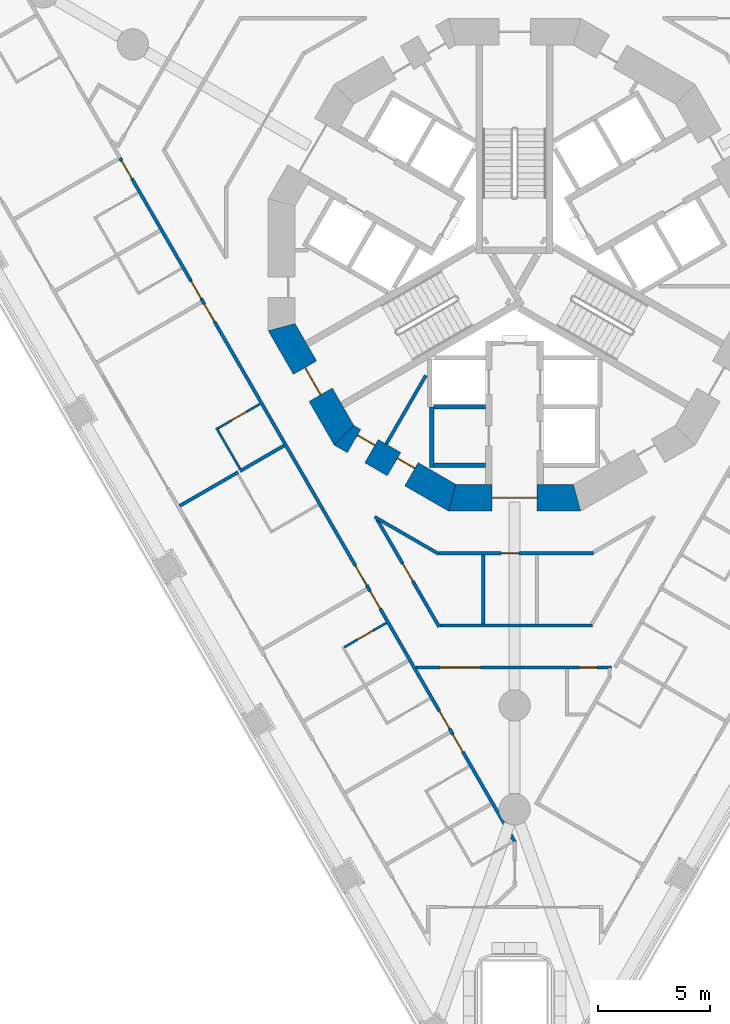
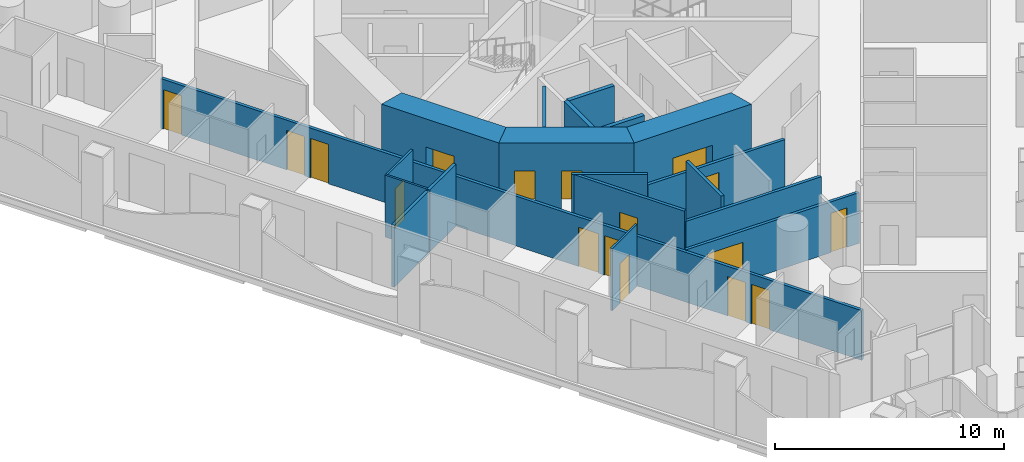
# One storey, part 3 of 20: 19 walls, 17 doors, 17 openings.
"""IFC4 building model written with IfcOpenShell, lengths in metres."""

from ifc_helpers import new_model, si_unit, direction, frame, frame_2d, origin, place, context, subcontext, project, spatial, polyline, rectangle, outline, extrude, material, layer, layer_set, type_object, element, fill, save


model = new_model("IFC4")

# Units and contexts
model_context = context("Model", 3, precision=1e-05, world=origin(), true_north=direction((0.0, 1.0)))
body_context = subcontext(model_context, "Body", "Model", "MODEL_VIEW")
ifc_project = project(units=[si_unit("LENGTHUNIT", "METRE"), si_unit("AREAUNIT", "SQUARE_METRE"), si_unit("VOLUMEUNIT", "CUBIC_METRE"), si_unit("PLANEANGLEUNIT", "RADIAN"), si_unit("MASSUNIT", "GRAM", prefix="KILO")], contexts=[model_context])

# Site, building, storey
site_placement = place(None, origin())
site = spatial("IfcSite", under=ifc_project, at=site_placement, CompositionType="ELEMENT")
building_placement = place(site_placement, origin())
building = spatial("IfcBuilding", under=site, at=building_placement, Name="Trine Commons Tower", CompositionType="ELEMENT")
storey_placement = place(building_placement, frame((0.0, 0.0, 38.699951171875)))
storey = spatial("IfcBuildingStorey", under=building, at=storey_placement, Name="L08", CompositionType="ELEMENT", Elevation=38.699951171875)

# Wall
ifc_material_1 = material(Name="Plasterboard partition on steel studs", Category="steel")
ifc_layer_1 = layer(ifc_material_1, 0.14990234375)
ifc_layer_set_1 = layer_set([ifc_layer_1], Name="Plasterboard partition on steel studs")
wall_type_1 = type_object("IfcWallType", Name="Core room partition 150 mm, EI 60", PredefinedType="PARTITIONING", material=ifc_layer_set_1)
wall_1_placement = place(storey_placement, frame((74.260986328125, 54.48388671875, 0.0), z_axis=(0.0, 0.0, 1.0), x_axis=(0.500062019353, 0.865989593933, 0.0)))
element("IfcWall", 1, at=wall_1_placement, inside=storey, type_object=wall_type_1, Name="Core room partition L08", PredefinedType="PARTITIONING", context=body_context, shape_type="SweptSolid", body=[
    extrude(rectangle(XDim=3.54736328125, YDim=0.14990234375, at=frame_2d((1.773681640625, 0.0))), origin(), (0.0, 0.0, 1.0), 3.300048828125),
])

# Wall, opening, door
ifc_material_2 = material(Name="Concrete C80/95", Category="concrete")
ifc_layer_2 = layer(ifc_material_2, 1.199951171875)
ifc_layer_set_2 = layer_set([ifc_layer_2], Name="Concrete C80/95")
wall_type_2 = type_object("IfcWallType", Name="RC shear wall 1200 mm, C80/95", PredefinedType="SHEAR", material=ifc_layer_set_2)
wall_2_placement = place(storey_placement, frame((69.508056640625, 59.849609375, 0.0), z_axis=(0.0, 0.0, 1.0), x_axis=(0.499979111662, -0.866037463336, 0.0)))
wall_2 = element("IfcWall", 2, at=wall_2_placement, inside=storey, type_object=wall_type_2, Name="Core wall CWA-08 L08", PredefinedType="SHEAR", context=body_context, shape_type="SweptSolid", body=[
    extrude(outline(polyline([(0.0, -0.60009765625), (5.901123046875, -0.60009765625), (5.57958984375, 0.60009765625), (0.321533203125, 0.60009765625), (0.0, -0.60009765625)])), origin(), (0.0, 0.0, 1.0), 3.60009765625),
])
opening_1_placement = place(wall_2_placement, frame((2.25048828125, 0.0, 0.0)))
opening_1 = element("IfcOpeningElement", 3, at=opening_1_placement, cuts=wall_2, Name="Opening K07.02", PredefinedType="OPENING", context=body_context, shape_type="SweptSolid", body=[
    extrude(rectangle(XDim=1.39990234375, YDim=2.10009765625, at=frame_2d((0.699951171875, 1.050048828125))), frame((0.0, 0.60986328125, 0.0), z_axis=(0.0, -1.0, 0.0), x_axis=(1.0, 0.0, 0.0)), (0.0, 0.0, 1.0), 1.219970703125),
])
ifc_material_3 = material(Name="Steel door leaves, fire-rated", Category="steel")
door_type_1 = type_object("IfcDoorType", Name="Stair door, double leaf 1400 x 2100, FD90", OperationType="DOUBLE_DOOR_SINGLE_SWING", PredefinedType="DOOR", material=ifc_material_3)
door_1_placement = place(opening_1_placement, origin())
door_1 = element("IfcDoor", 4, at=door_1_placement, inside=storey, type_object=door_type_1, Name="Stair door to Exit stair ST2A L08", OperationType="DOUBLE_DOOR_SINGLE_SWING", OverallHeight=2.10009765625, OverallWidth=1.39990234375, PredefinedType="DOOR", context=body_context, shape_type="SweptSolid", body=[
    extrude(rectangle(XDim=1.39990234375, YDim=2.10009765625, at=frame_2d((0.699951171875, 1.050048828125))), frame((0.0, 0.02490234375, 0.0), z_axis=(0.0, -1.0, 0.0), x_axis=(1.0, 0.0, 0.0)), (0.0, 0.0, 1.0), 0.050048828125),
])
fill(opening_1, door_1)

# Wall, openings, doors
wall_3_placement = place(storey_placement, frame((72.239013671875, 54.95849609375, 0.0), z_axis=(0.0, 0.0, 1.0), x_axis=(0.866037463336, -0.499979111662, 0.0)))
wall_3 = element("IfcWall", 5, at=wall_3_placement, inside=storey, type_object=wall_type_2, Name="Core wall CWA-09 L08", PredefinedType="SHEAR", context=body_context, shape_type="SweptSolid", body=[
    extrude(outline(polyline([(0.0, -0.60009765625), (5.901123046875, -0.60009765625), (5.57958984375, 0.60009765625), (0.321533203125, 0.60009765625), (0.0, -0.60009765625)])), origin(), (0.0, 0.0, 1.0), 3.60009765625),
])
opening_2_placement = place(wall_3_placement, frame((0.676513671875, 0.0, 0.0)))
opening_2 = element("IfcOpeningElement", 6, at=opening_2_placement, cuts=wall_3, Name="Opening K07.15", PredefinedType="OPENING", context=body_context, shape_type="SweptSolid", body=[
    extrude(rectangle(XDim=0.89990234375, YDim=2.10009765625, at=frame_2d((0.449951171875, 1.050048828125))), frame((0.0, 0.60986328125, 0.0), z_axis=(0.0, -1.0, 0.0), x_axis=(1.0, 0.0, 0.0)), (0.0, 0.0, 1.0), 1.219970703125),
])
opening_3_placement = place(wall_3_placement, frame((2.738525390625, 0.0, 0.0)))
opening_3 = element("IfcOpeningElement", 7, at=opening_3_placement, cuts=wall_3, Name="Opening K07.16", PredefinedType="OPENING", context=body_context, shape_type="SweptSolid", body=[
    extrude(rectangle(XDim=0.89990234375, YDim=2.10009765625, at=frame_2d((0.449951171875, 1.050048828125))), frame((0.0, 0.60986328125, 0.0), z_axis=(0.0, -1.0, 0.0), x_axis=(1.0, 0.0, 0.0)), (0.0, 0.0, 1.0), 1.219970703125),
])
ifc_material_4 = material(Name="Steel door leaf, fire-rated", Category="steel")
door_type_2 = type_object("IfcDoorType", Name="Core room door, single leaf 900 x 2100, FD30S", OperationType="SINGLE_SWING_LEFT", PredefinedType="DOOR", material=ifc_material_4)
door_2_placement = place(opening_2_placement, origin())
door_2 = element("IfcDoor", 8, at=door_2_placement, inside=storey, type_object=door_type_2, Name="Door to Cleaner's store L08", OperationType="SINGLE_SWING_LEFT", OverallHeight=2.10009765625, OverallWidth=0.89990234375, PredefinedType="DOOR", context=body_context, shape_type="SweptSolid", body=[
    extrude(rectangle(XDim=0.89990234375, YDim=2.10009765625, at=frame_2d((0.449951171875, 1.050048828125))), frame((0.0, 0.3251953125, 0.0), z_axis=(0.0, -1.0, 0.0), x_axis=(1.0, 0.0, 0.0)), (0.0, 0.0, 1.0), 0.050048828125),
])
fill(opening_2, door_2)
door_3_placement = place(opening_3_placement, origin())
door_3 = element("IfcDoor", 9, at=door_3_placement, inside=storey, type_object=door_type_2, Name="Door to Accessible WC L08", OperationType="SINGLE_SWING_RIGHT", OverallHeight=2.10009765625, OverallWidth=0.89990234375, PredefinedType="DOOR", context=body_context, shape_type="SweptSolid", body=[
    extrude(rectangle(XDim=0.89990234375, YDim=2.10009765625, at=frame_2d((0.449951171875, 1.050048828125))), frame((0.0, 0.3251953125, 0.0), z_axis=(0.0, -1.0, 0.0), x_axis=(1.0, 0.0, 0.0)), (0.0, 0.0, 1.0), 0.050048828125),
])
fill(opening_3, door_3)

# Wall, opening, door
wall_4_placement = place(storey_placement, frame((77.049560546875, 52.08837890625, 0.0), z_axis=(0.0, 0.0, 1.0), x_axis=(1.0, 0.0, 0.0)))
wall_4 = element("IfcWall", 10, at=wall_4_placement, inside=storey, type_object=wall_type_2, Name="Core wall CWA-10 L08", PredefinedType="SHEAR", context=body_context, shape_type="SweptSolid", body=[
    extrude(outline(polyline([(0.0, -0.60009765625), (5.90087890625, -0.60009765625), (5.57958984375, 0.60009765625), (0.321533203125, 0.60009765625), (0.0, -0.60009765625)])), origin(), (0.0, 0.0, 1.0), 3.60009765625),
])
opening_4_placement = place(wall_4_placement, frame((1.950439453125, 0.0, 0.0)))
opening_4 = element("IfcOpeningElement", 11, at=opening_4_placement, cuts=wall_4, Name="Opening K07.08", PredefinedType="OPENING", context=body_context, shape_type="SweptSolid", body=[
    extrude(rectangle(XDim=2.0, YDim=2.10009765625, at=frame_2d((1.0, 1.050048828125))), frame((0.0, 0.60986328125, 0.0), z_axis=(0.0, -1.0, 0.0), x_axis=(1.0, 0.0, 0.0)), (0.0, 0.0, 1.0), 1.219970703125),
])
door_type_3 = type_object("IfcDoorType", Name="Lobby door, double leaf 2000 x 2100, FD60", OperationType="DOUBLE_DOOR_SINGLE_SWING", PredefinedType="DOOR", material=ifc_material_3)
door_4_placement = place(opening_4_placement, origin())
door_4 = element("IfcDoor", 12, at=door_4_placement, inside=storey, type_object=door_type_3, Name="Lobby door, Service and firefighting lobby L08", OperationType="DOUBLE_DOOR_SINGLE_SWING", OverallHeight=2.10009765625, OverallWidth=2.0, PredefinedType="DOOR", context=body_context, shape_type="SweptSolid", body=[
    extrude(rectangle(XDim=2.0, YDim=2.10009765625, at=frame_2d((1.0, 1.050048828125))), frame((0.0, 0.02490234375, 0.0), z_axis=(0.0, -1.0, 0.0), x_axis=(1.0, 0.0, 0.0)), (0.0, 0.0, 1.0), 0.050048828125),
])
fill(opening_4, door_4)

# Walls
ifc_material_5 = material(Name="Fire-rated gypsum shaft wall system")
ifc_layer_3 = layer(ifc_material_5, 0.199951171875)
ifc_layer_set_3 = layer_set([ifc_layer_3], Name="Fire-rated gypsum shaft wall system")
wall_type_3 = type_object("IfcWallType", Name="Shaft wall 200 mm, EI 120", PredefinedType="PARTITIONING", material=ifc_layer_set_3)
wall_5_placement = place(storey_placement, frame((76.300048828125, 56.14990234375, 0.0), z_axis=(0.0, 0.0, 1.0), x_axis=(0.0, -1.0, 0.0)))
element("IfcWall", 13, at=wall_5_placement, inside=storey, type_object=wall_type_3, Name="Shaft wall L08", PredefinedType="PARTITIONING", context=body_context, shape_type="SweptSolid", body=[
    extrude(rectangle(XDim=2.699951171875, YDim=0.199951171875, at=frame_2d((1.35009765625, 0.0))), origin(), (0.0, 0.0, 1.0), 3.300048828125),
])
for number, where, z_axis, x_axis, name in (
    (14, (78.699951171875, 53.550048828125, 0.0), (0.0, 0.0, 1.0), (-1.0, 0.0, 0.0), "Shaft wall L08"),
    (15, (78.699951171875, 56.14990234375, 0.0), (0.0, 0.0, 1.0), (-1.0, 0.0, 0.0), "Shaft wall L08"),
):
    element("IfcWall", number, at=place(storey_placement, frame(where, z_axis=z_axis, x_axis=x_axis)), inside=storey, type_object=wall_type_3, Name=name, PredefinedType="PARTITIONING", context=body_context, shape_type="SweptSolid", body=[
        extrude(rectangle(XDim=2.300048828125, YDim=0.199951171875, at=frame_2d((1.14990234375, 0.0))), origin(), (0.0, 0.0, 1.0), 3.300048828125),
    ])

# Wall, openings, doors
ifc_material_6 = material(Name="Gypsum plasterboard on steel stud", Category="steel")
ifc_layer_4 = layer(ifc_material_6, 0.14990234375)
ifc_layer_set_4 = layer_set([ifc_layer_4], Name="Gypsum plasterboard on steel stud")
wall_type_4 = type_object("IfcWallType", Name="Unit and corridor wall 150 mm, EI 60", PredefinedType="PARTITIONING", material=ifc_layer_set_4)
wall_6_placement = place(storey_placement, frame((62.364990234375, 67.27099609375, 0.0), z_axis=(0.0, 0.0, 1.0), x_axis=(0.500005848871, -0.866022026911, 0.0)))
wall_6 = element("IfcWall", 16, at=wall_6_placement, inside=storey, type_object=wall_type_4, Name="Partition 025", PredefinedType="PARTITIONING", context=body_context, shape_type="SweptSolid", body=[
    extrude(rectangle(XDim=35.29736328125, YDim=0.14990234375, at=frame_2d((17.648681640625, 0.0))), origin(), (0.0, 0.0, 1.0), 2.650146484375),
])
opening_5_placement = place(wall_6_placement, frame((29.744384765625, 0.0, 0.0)))
opening_5 = element("IfcOpeningElement", 17, at=opening_5_placement, cuts=wall_6, Name="Opening D-1A25", PredefinedType="OPENING", context=body_context, shape_type="SweptSolid", body=[
    extrude(rectangle(XDim=0.89990234375, YDim=2.10009765625, at=frame_2d((0.449951171875, 1.050048828125))), frame((0.0, 0.0849609375, 0.0), z_axis=(0.0, -1.0, 0.0), x_axis=(1.0, 0.0, 0.0)), (0.0, 0.0, 1.0), 0.169921875),
])
opening_6_placement = place(wall_6_placement, frame((28.544189453125, 0.0, 0.0)))
opening_6 = element("IfcOpeningElement", 18, at=opening_6_placement, cuts=wall_6, Name="Opening D-1A26", PredefinedType="OPENING", context=body_context, shape_type="SweptSolid", body=[
    extrude(rectangle(XDim=0.89990234375, YDim=2.10009765625, at=frame_2d((0.449951171875, 1.050048828125))), frame((0.0, 0.0849609375, 0.0), z_axis=(0.0, -1.0, 0.0), x_axis=(1.0, 0.0, 0.0)), (0.0, 0.0, 1.0), 0.169921875),
])
opening_7_placement = place(wall_6_placement, frame((22.34716796875, 0.0, 0.0)))
opening_7 = element("IfcOpeningElement", 19, at=opening_7_placement, cuts=wall_6, Name="Opening D-1A27", PredefinedType="OPENING", context=body_context, shape_type="SweptSolid", body=[
    extrude(rectangle(XDim=0.89990234375, YDim=2.10009765625, at=frame_2d((0.449951171875, 1.050048828125))), frame((0.0, 0.0849609375, 0.0), z_axis=(0.0, -1.0, 0.0), x_axis=(1.0, 0.0, 0.0)), (0.0, 0.0, 1.0), 0.169921875),
])
opening_8_placement = place(wall_6_placement, frame((21.047119140625, 0.0, 0.0)))
opening_8 = element("IfcOpeningElement", 20, at=opening_8_placement, cuts=wall_6, Name="Opening D-1A28", PredefinedType="OPENING", context=body_context, shape_type="SweptSolid", body=[
    extrude(rectangle(XDim=1.0, YDim=2.10009765625, at=frame_2d((0.5, 1.050048828125))), frame((0.0, 0.0849609375, 0.0), z_axis=(0.0, -1.0, 0.0), x_axis=(1.0, 0.0, 0.0)), (0.0, 0.0, 1.0), 0.169921875),
])
opening_9_placement = place(wall_6_placement, frame((7.55078125, 0.0, 0.0)))
opening_9 = element("IfcOpeningElement", 21, at=opening_9_placement, cuts=wall_6, Name="Opening D-1A29", PredefinedType="OPENING", context=body_context, shape_type="SweptSolid", body=[
    extrude(rectangle(XDim=0.89990234375, YDim=2.10009765625, at=frame_2d((0.449951171875, 1.050048828125))), frame((0.0, 0.0849609375, 0.0), z_axis=(0.0, -1.0, 0.0), x_axis=(1.0, 0.0, 0.0)), (0.0, 0.0, 1.0), 0.169921875),
])
opening_10_placement = place(wall_6_placement, frame((6.350830078125, 0.0, 0.0)))
opening_10 = element("IfcOpeningElement", 22, at=opening_10_placement, cuts=wall_6, Name="Opening D-1A30", PredefinedType="OPENING", context=body_context, shape_type="SweptSolid", body=[
    extrude(rectangle(XDim=0.89990234375, YDim=2.10009765625, at=frame_2d((0.449951171875, 1.050048828125))), frame((0.0, 0.0849609375, 0.0), z_axis=(0.0, -1.0, 0.0), x_axis=(1.0, 0.0, 0.0)), (0.0, 0.0, 1.0), 0.169921875),
])
opening_11_placement = place(wall_6_placement, frame((0.153564453125, 0.0, 0.0)))
opening_11 = element("IfcOpeningElement", 23, at=opening_11_placement, cuts=wall_6, Name="Opening D-1A31", PredefinedType="OPENING", context=body_context, shape_type="SweptSolid", body=[
    extrude(rectangle(XDim=0.89990234375, YDim=2.10009765625, at=frame_2d((0.449951171875, 1.050048828125))), frame((0.0, 0.0849609375, 0.0), z_axis=(0.0, -1.0, 0.0), x_axis=(1.0, 0.0, 0.0)), (0.0, 0.0, 1.0), 0.169921875),
])
ifc_material_7 = material(Name="Timber fire door set", Category="wood")
door_type_4 = type_object("IfcDoorType", Name="Bedroom door 1000 x 2100, FD30S", OperationType="NOTDEFINED", PredefinedType="DOOR", material=ifc_material_7)
door_5_placement = place(opening_8_placement, frame((1.0, 0.0, 0.0), z_axis=(0.0, 0.0, 1.0), x_axis=(-1.0, 0.0, 0.0)))
door_5 = element("IfcDoor", 24, at=door_5_placement, inside=storey, type_object=door_type_4, Name="Door D-1A28", OperationType="SINGLE_SWING_LEFT", OverallHeight=2.10009765625, OverallWidth=1.0, PredefinedType="DOOR", context=body_context, shape_type="SweptSolid", body=[
    extrude(rectangle(XDim=1.0, YDim=2.10009765625, at=frame_2d((0.5, 1.050048828125))), frame((0.0, 0.02490234375, 0.0), z_axis=(0.0, -1.0, 0.0), x_axis=(1.0, 0.0, 0.0)), (0.0, 0.0, 1.0), 0.050048828125),
])
fill(opening_8, door_5)
door_type_5 = type_object("IfcDoorType", Name="Bedroom door 900 x 2100, FD30S", OperationType="NOTDEFINED", PredefinedType="DOOR", material=ifc_material_7)
door_6_placement = place(opening_5_placement, frame((0.89990234375, 0.0, 0.0), z_axis=(0.0, 0.0, 1.0), x_axis=(-1.0, 0.0, 0.0)))
door_6 = element("IfcDoor", 25, at=door_6_placement, inside=storey, type_object=door_type_5, Name="Door D-1A25", OperationType="SINGLE_SWING_LEFT", OverallHeight=2.10009765625, OverallWidth=0.89990234375, PredefinedType="DOOR", context=body_context, shape_type="SweptSolid", body=[
    extrude(rectangle(XDim=0.89990234375, YDim=2.10009765625, at=frame_2d((0.449951171875, 1.050048828125))), frame((0.0, 0.02490234375, 0.0), z_axis=(0.0, -1.0, 0.0), x_axis=(1.0, 0.0, 0.0)), (0.0, 0.0, 1.0), 0.050048828125),
])
fill(opening_5, door_6)
door_7_placement = place(opening_6_placement, frame((0.89990234375, 0.0, 0.0), z_axis=(0.0, 0.0, 1.0), x_axis=(-1.0, 0.0, 0.0)))
door_7 = element("IfcDoor", 26, at=door_7_placement, inside=storey, type_object=door_type_5, Name="Door D-1A26", OperationType="SINGLE_SWING_LEFT", OverallHeight=2.10009765625, OverallWidth=0.89990234375, PredefinedType="DOOR", context=body_context, shape_type="SweptSolid", body=[
    extrude(rectangle(XDim=0.89990234375, YDim=2.10009765625, at=frame_2d((0.449951171875, 1.050048828125))), frame((0.0, 0.02490234375, 0.0), z_axis=(0.0, -1.0, 0.0), x_axis=(1.0, 0.0, 0.0)), (0.0, 0.0, 1.0), 0.050048828125),
])
fill(opening_6, door_7)
door_8_placement = place(opening_7_placement, frame((0.89990234375, 0.0, 0.0), z_axis=(0.0, 0.0, 1.0), x_axis=(-1.0, 0.0, 0.0)))
door_8 = element("IfcDoor", 27, at=door_8_placement, inside=storey, type_object=door_type_5, Name="Door D-1A27", OperationType="SINGLE_SWING_LEFT", OverallHeight=2.10009765625, OverallWidth=0.89990234375, PredefinedType="DOOR", context=body_context, shape_type="SweptSolid", body=[
    extrude(rectangle(XDim=0.89990234375, YDim=2.10009765625, at=frame_2d((0.449951171875, 1.050048828125))), frame((0.0, 0.02490234375, 0.0), z_axis=(0.0, -1.0, 0.0), x_axis=(1.0, 0.0, 0.0)), (0.0, 0.0, 1.0), 0.050048828125),
])
fill(opening_7, door_8)
door_9_placement = place(opening_9_placement, frame((0.89990234375, 0.0, 0.0), z_axis=(0.0, 0.0, 1.0), x_axis=(-1.0, 0.0, 0.0)))
door_9 = element("IfcDoor", 28, at=door_9_placement, inside=storey, type_object=door_type_5, Name="Door D-1A29", OperationType="SINGLE_SWING_RIGHT", OverallHeight=2.10009765625, OverallWidth=0.89990234375, PredefinedType="DOOR", context=body_context, shape_type="SweptSolid", body=[
    extrude(rectangle(XDim=0.89990234375, YDim=2.10009765625, at=frame_2d((0.449951171875, 1.050048828125))), frame((0.0, 0.02490234375, 0.0), z_axis=(0.0, -1.0, 0.0), x_axis=(1.0, 0.0, 0.0)), (0.0, 0.0, 1.0), 0.050048828125),
])
fill(opening_9, door_9)
door_10_placement = place(opening_10_placement, frame((0.89990234375, 0.0, 0.0), z_axis=(0.0, 0.0, 1.0), x_axis=(-1.0, 0.0, 0.0)))
door_10 = element("IfcDoor", 29, at=door_10_placement, inside=storey, type_object=door_type_5, Name="Door D-1A30", OperationType="SINGLE_SWING_RIGHT", OverallHeight=2.10009765625, OverallWidth=0.89990234375, PredefinedType="DOOR", context=body_context, shape_type="SweptSolid", body=[
    extrude(rectangle(XDim=0.89990234375, YDim=2.10009765625, at=frame_2d((0.449951171875, 1.050048828125))), frame((0.0, 0.02490234375, 0.0), z_axis=(0.0, -1.0, 0.0), x_axis=(1.0, 0.0, 0.0)), (0.0, 0.0, 1.0), 0.050048828125),
])
fill(opening_10, door_10)
door_11_placement = place(opening_11_placement, frame((0.89990234375, 0.0, 0.0), z_axis=(0.0, 0.0, 1.0), x_axis=(-1.0, 0.0, 0.0)))
door_11 = element("IfcDoor", 30, at=door_11_placement, inside=storey, type_object=door_type_5, Name="Door D-1A31", OperationType="SINGLE_SWING_RIGHT", OverallHeight=2.10009765625, OverallWidth=0.89990234375, PredefinedType="DOOR", context=body_context, shape_type="SweptSolid", body=[
    extrude(rectangle(XDim=0.89990234375, YDim=2.10009765625, at=frame_2d((0.449951171875, 1.050048828125))), frame((0.0, 0.02490234375, 0.0), z_axis=(0.0, -1.0, 0.0), x_axis=(1.0, 0.0, 0.0)), (0.0, 0.0, 1.0), 0.050048828125),
])
fill(opening_11, door_11)

# Walls
wall_7_placement = place(storey_placement, frame((65.03759765625, 51.72607421875, 0.0), z_axis=(0.0, 0.0, 1.0), x_axis=(0.866097759389, 0.49987465547, 0.0)))
element("IfcWall", 31, at=wall_7_placement, inside=storey, type_object=wall_type_4, Name="Partition 031", PredefinedType="PARTITIONING", context=body_context, shape_type="SweptSolid", body=[
    extrude(rectangle(XDim=3.008544921875, YDim=0.14990234375, at=frame_2d((1.50439453125, 0.0))), origin(), (0.0, 0.0, 1.0), 3.300048828125),
])
wall_8_placement = place(storey_placement, frame((67.726806640625, 53.278076171875, 0.0), z_axis=(0.0, 0.0, 1.0), x_axis=(0.866012516728, 0.500022320372, 0.0)))
element("IfcWall", 32, at=wall_8_placement, inside=storey, type_object=wall_type_4, Name="Partition 042", PredefinedType="PARTITIONING", context=body_context, shape_type="SweptSolid", body=[
    extrude(rectangle(XDim=2.27880859375, YDim=0.14990234375, at=frame_2d((1.139404296875, 0.0))), origin(), (0.0, 0.0, 1.0), 3.300048828125),
])
wall_9_placement = place(storey_placement, frame((73.74609375, 51.23046875, 0.0), z_axis=(0.0, 0.0, 1.0), x_axis=(0.865959508231, -0.500114117081, 0.0)))
element("IfcWall", 33, at=wall_9_placement, inside=storey, type_object=wall_type_4, Name="Partition 051", PredefinedType="PARTITIONING", context=body_context, shape_type="SweptSolid", body=[
    extrude(rectangle(XDim=3.309326171875, YDim=0.14990234375, at=frame_2d((1.65478515625, 0.0))), origin(), (0.0, 0.0, 1.0), 3.300048828125),
])

# Wall, opening, door
wall_10_placement = place(storey_placement, frame((73.8515625, 51.1259765625, 0.0), z_axis=(0.0, 0.0, 1.0), x_axis=(0.500036793739, -0.866004159867, 0.0)))
wall_10 = element("IfcWall", 34, at=wall_10_placement, inside=storey, type_object=wall_type_4, Name="Partition 052", PredefinedType="PARTITIONING", context=body_context, shape_type="SweptSolid", body=[
    extrude(rectangle(XDim=5.5576171875, YDim=0.14990234375, at=frame_2d((2.77880859375, 0.0))), origin(), (0.0, 0.0, 1.0), 3.300048828125),
])
opening_12_placement = place(wall_10_placement, frame((2.29150390625, 0.0, 0.0)))
opening_12 = element("IfcOpeningElement", 35, at=opening_12_placement, cuts=wall_10, Name="Opening D-1A38", PredefinedType="OPENING", context=body_context, shape_type="SweptSolid", body=[
    extrude(rectangle(XDim=0.89990234375, YDim=2.10009765625, at=frame_2d((0.449951171875, 1.050048828125))), frame((0.0, 0.0849609375, 0.0), z_axis=(0.0, -1.0, 0.0), x_axis=(1.0, 0.0, 0.0)), (0.0, 0.0, 1.0), 0.169921875),
])
door_type_6 = type_object("IfcDoorType", Name="Service door 900 x 2100, FD30S", OperationType="NOTDEFINED", PredefinedType="DOOR", material=ifc_material_7)
door_12_placement = place(opening_12_placement, origin())
door_12 = element("IfcDoor", 36, at=door_12_placement, inside=storey, type_object=door_type_6, Name="Door D-1A38", OperationType="SINGLE_SWING_LEFT", OverallHeight=2.10009765625, OverallWidth=0.89990234375, PredefinedType="DOOR", context=body_context, shape_type="SweptSolid", body=[
    extrude(rectangle(XDim=0.89990234375, YDim=2.10009765625, at=frame_2d((0.449951171875, 1.050048828125))), frame((0.0, 0.02490234375, 0.0), z_axis=(0.0, -1.0, 0.0), x_axis=(1.0, 0.0, 0.0)), (0.0, 0.0, 1.0), 0.050048828125),
])
fill(opening_12, door_12)

# Wall, openings, doors
wall_11_placement = place(storey_placement, frame((75.5859375, 44.5029296875, 0.0), z_axis=(0.0, 0.0, 1.0), x_axis=(1.0, 0.0, 0.0)))
wall_11 = element("IfcWall", 37, at=wall_11_placement, inside=storey, type_object=wall_type_4, Name="Partition 056", PredefinedType="PARTITIONING", context=body_context, shape_type="SweptSolid", body=[
    extrude(rectangle(XDim=8.733154296875, YDim=0.14990234375, at=frame_2d((4.36669921875, 0.0))), origin(), (0.0, 0.0, 1.0), 2.699951171875),
])
opening_13_placement = place(wall_11_placement, frame((1.080810546875, 0.0, 0.0)))
opening_13 = element("IfcOpeningElement", 38, at=opening_13_placement, cuts=wall_11, Name="Opening D-1A02", PredefinedType="OPENING", context=body_context, shape_type="SweptSolid", body=[
    extrude(rectangle(XDim=1.800048828125, YDim=2.10009765625, at=frame_2d((0.89990234375, 1.050048828125))), frame((0.0, 0.0849609375, 0.0), z_axis=(0.0, -1.0, 0.0), x_axis=(1.0, 0.0, 0.0)), (0.0, 0.0, 1.0), 0.169921875),
])
opening_14_placement = place(wall_11_placement, frame((7.303955078125, 0.0, 0.0)))
opening_14 = element("IfcOpeningElement", 39, at=opening_14_placement, cuts=wall_11, Name="Opening D-1A05", PredefinedType="OPENING", context=body_context, shape_type="SweptSolid", body=[
    extrude(rectangle(XDim=0.800048828125, YDim=2.10009765625, at=frame_2d((0.39990234375, 1.050048828125))), frame((0.0, 0.0849609375, 0.0), z_axis=(0.0, -1.0, 0.0), x_axis=(1.0, 0.0, 0.0)), (0.0, 0.0, 1.0), 0.169921875),
])
door_type_7 = type_object("IfcDoorType", Name="Cluster entrance door 1800 x 2100, double leaf, FD30S", OperationType="DOUBLE_DOOR_DOUBLE_SWING", PredefinedType="DOOR", material=ifc_material_7)
door_13_placement = place(opening_13_placement, frame((1.800048828125, 0.0, 0.0), z_axis=(0.0, 0.0, 1.0), x_axis=(-1.0, 0.0, 0.0)))
door_13 = element("IfcDoor", 40, at=door_13_placement, inside=storey, type_object=door_type_7, Name="Door D-1A02", OperationType="DOUBLE_DOOR_DOUBLE_SWING", OverallHeight=2.10009765625, OverallWidth=1.800048828125, PredefinedType="DOOR", context=body_context, shape_type="SweptSolid", body=[
    extrude(rectangle(XDim=1.800048828125, YDim=2.10009765625, at=frame_2d((0.89990234375, 1.050048828125))), frame((0.0, 0.02490234375, 0.0), z_axis=(0.0, -1.0, 0.0), x_axis=(1.0, 0.0, 0.0)), (0.0, 0.0, 1.0), 0.050048828125),
])
fill(opening_13, door_13)
ifc_material_8 = material(Name="Painted timber", Category="wood")
door_type_8 = type_object("IfcDoorType", Name="Toilet door 800 x 2100, NOT RATED", OperationType="NOTDEFINED", PredefinedType="DOOR", material=ifc_material_8)
door_14_placement = place(opening_14_placement, frame((0.800048828125, 0.0, 0.0), z_axis=(0.0, 0.0, 1.0), x_axis=(-1.0, 0.0, 0.0)))
door_14 = element("IfcDoor", 41, at=door_14_placement, inside=storey, type_object=door_type_8, Name="Door D-1A05", OperationType="SINGLE_SWING_LEFT", OverallHeight=2.10009765625, OverallWidth=0.800048828125, PredefinedType="DOOR", context=body_context, shape_type="SweptSolid", body=[
    extrude(rectangle(XDim=0.800048828125, YDim=2.10009765625, at=frame_2d((0.39990234375, 1.050048828125))), frame((0.0, 0.02490234375, 0.0), z_axis=(0.0, -1.0, 0.0), x_axis=(1.0, 0.0, 0.0)), (0.0, 0.0, 1.0), 0.050048828125),
])
fill(opening_14, door_14)

# Wall, opening, door
wall_12_placement = place(storey_placement, frame((76.6220703125, 49.613037109375, 0.0), z_axis=(0.0, 0.0, 1.0), x_axis=(1.0, 0.0, 0.0)))
wall_12 = element("IfcWall", 42, at=wall_12_placement, inside=storey, type_object=wall_type_4, Name="Partition 059", PredefinedType="PARTITIONING", context=body_context, shape_type="SweptSolid", body=[
    extrude(rectangle(XDim=6.906005859375, YDim=0.14990234375, at=frame_2d((3.453125, 0.0))), origin(), (0.0, 0.0, 1.0), 2.699951171875),
])
opening_15_placement = place(wall_12_placement, frame((2.778076171875, 0.0, 0.0)))
opening_15 = element("IfcOpeningElement", 43, at=opening_15_placement, cuts=wall_12, Name="Opening D-1A39", PredefinedType="OPENING", context=body_context, shape_type="SweptSolid", body=[
    extrude(rectangle(XDim=0.800048828125, YDim=2.10009765625, at=frame_2d((0.39990234375, 1.050048828125))), frame((0.0, 0.0849609375, 0.0), z_axis=(0.0, -1.0, 0.0), x_axis=(1.0, 0.0, 0.0)), (0.0, 0.0, 1.0), 0.169921875),
])
door_15_placement = place(opening_15_placement, frame((0.800048828125, 0.0, 0.0), z_axis=(0.0, 0.0, 1.0), x_axis=(-1.0, 0.0, 0.0)))
door_15 = element("IfcDoor", 44, at=door_15_placement, inside=storey, type_object=door_type_8, Name="Door D-1A39", OperationType="SINGLE_SWING_RIGHT", OverallHeight=2.10009765625, OverallWidth=0.800048828125, PredefinedType="DOOR", context=body_context, shape_type="SweptSolid", body=[
    extrude(rectangle(XDim=0.800048828125, YDim=2.10009765625, at=frame_2d((0.39990234375, 1.050048828125))), frame((0.0, 0.02490234375, 0.0), z_axis=(0.0, -1.0, 0.0), x_axis=(1.0, 0.0, 0.0)), (0.0, 0.0, 1.0), 0.050048828125),
])
fill(opening_15, door_15)

# Walls
wall_13_placement = place(storey_placement, frame((76.66796875, 46.3779296875, 0.0), z_axis=(0.0, 0.0, 1.0), x_axis=(1.0, 0.0, 0.0)))
element("IfcWall", 45, at=wall_13_placement, inside=storey, type_object=wall_type_4, Name="Partition 060", PredefinedType="PARTITIONING", context=body_context, shape_type="SweptSolid", body=[
    extrude(rectangle(XDim=6.81396484375, YDim=0.14990234375, at=frame_2d((3.406982421875, 0.0))), origin(), (0.0, 0.0, 1.0), 2.699951171875),
])
wall_14_placement = place(storey_placement, frame((78.60009765625, 46.452880859375, 0.0), z_axis=(0.0, 0.0, 1.0), x_axis=(0.0, 1.0, 0.0)))
element("IfcWall", 46, at=wall_14_placement, inside=storey, type_object=wall_type_4, Name="Partition 065", PredefinedType="PARTITIONING", context=body_context, shape_type="SweptSolid", body=[
    extrude(rectangle(XDim=3.085205078125, YDim=0.14990234375, at=frame_2d((1.54248046875, 0.0))), origin(), (0.0, 0.0, 1.0), 3.300048828125),
])
ifc_layer_5 = layer(ifc_material_6, 0.10009765625)
ifc_layer_set_5 = layer_set([ifc_layer_5], Name="Gypsum plasterboard on steel stud")
wall_type_5 = type_object("IfcWallType", Name="Unit partition 100 mm, no rating", PredefinedType="PARTITIONING", material=ifc_layer_set_5)
wall_15_placement = place(storey_placement, frame((66.673095703125, 55.210205078125, 0.0), z_axis=(0.0, 0.0, 1.0), x_axis=(0.500044036531, -0.865999977788, 0.0)))
element("IfcWall", 47, at=wall_15_placement, inside=storey, type_object=wall_type_5, Name="Partition 035", PredefinedType="PARTITIONING", context=body_context, shape_type="SweptSolid", body=[
    extrude(rectangle(XDim=2.124755859375, YDim=0.10009765625, at=frame_2d((1.0625, 0.0))), origin(), (0.0, 0.0, 1.0), 3.300048828125),
])

# Wall, opening, door
wall_16_placement = place(storey_placement, frame((66.7412109375, 55.19189453125, 0.0), z_axis=(0.0, 0.0, 1.0), x_axis=(0.866017369001, 0.500013916395, 0.0)))
wall_16 = element("IfcWall", 48, at=wall_16_placement, inside=storey, type_object=wall_type_5, Name="Partition 036", PredefinedType="PARTITIONING", context=body_context, shape_type="SweptSolid", body=[
    extrude(rectangle(XDim=2.17529296875, YDim=0.10009765625, at=frame_2d((1.087646484375, 0.0))), origin(), (0.0, 0.0, 1.0), 3.300048828125),
])
opening_16_placement = place(wall_16_placement, frame((0.6875, 0.0, 0.0)))
opening_16 = element("IfcOpeningElement", 49, at=opening_16_placement, cuts=wall_16, Name="Opening D-1A61", PredefinedType="OPENING", context=body_context, shape_type="SweptSolid", body=[
    extrude(rectangle(XDim=0.800048828125, YDim=2.10009765625, at=frame_2d((0.39990234375, 1.050048828125))), frame((0.0, 0.06005859375, 0.0), z_axis=(0.0, -1.0, 0.0), x_axis=(1.0, 0.0, 0.0)), (0.0, 0.0, 1.0), 0.1201171875),
])
door_type_9 = type_object("IfcDoorType", Name="Internal door 800 x 2100, NOT RATED", OperationType="NOTDEFINED", PredefinedType="DOOR", material=ifc_material_8)
door_16_placement = place(opening_16_placement, origin())
door_16 = element("IfcDoor", 50, at=door_16_placement, inside=storey, type_object=door_type_9, Name="Door D-1A61", OperationType="SINGLE_SWING_RIGHT", OverallHeight=2.10009765625, OverallWidth=0.800048828125, PredefinedType="DOOR", context=body_context, shape_type="SweptSolid", body=[
    extrude(rectangle(XDim=0.800048828125, YDim=2.10009765625, at=frame_2d((0.39990234375, 1.050048828125))), frame((0.0, 0.02490234375, 0.0), z_axis=(0.0, -1.0, 0.0), x_axis=(1.0, 0.0, 0.0)), (0.0, 0.0, 1.0), 0.050048828125),
])
fill(opening_16, door_16)

wall_17_placement = place(storey_placement, frame((72.389404296875, 45.408935546875, 0.0), z_axis=(0.0, 0.0, 1.0), x_axis=(0.865989304205, 0.500062521093, 0.0)))
wall_17 = element("IfcWall", 51, at=wall_17_placement, inside=storey, type_object=wall_type_5, Name="Partition 049", PredefinedType="PARTITIONING", context=body_context, shape_type="SweptSolid", body=[
    extrude(rectangle(XDim=2.175048828125, YDim=0.10009765625, at=frame_2d((1.08740234375, 0.0))), origin(), (0.0, 0.0, 1.0), 3.300048828125),
])
opening_17_placement = place(wall_17_placement, frame((0.6875, 0.0, 0.0)))
opening_17 = element("IfcOpeningElement", 52, at=opening_17_placement, cuts=wall_17, Name="Opening D-1A59", PredefinedType="OPENING", context=body_context, shape_type="SweptSolid", body=[
    extrude(rectangle(XDim=0.800048828125, YDim=2.10009765625, at=frame_2d((0.39990234375, 1.050048828125))), frame((0.0, 0.06005859375, 0.0), z_axis=(0.0, -1.0, 0.0), x_axis=(1.0, 0.0, 0.0)), (0.0, 0.0, 1.0), 0.1201171875),
])
door_17_placement = place(opening_17_placement, origin())
door_17 = element("IfcDoor", 53, at=door_17_placement, inside=storey, type_object=door_type_9, Name="Door D-1A59", OperationType="SINGLE_SWING_RIGHT", OverallHeight=2.10009765625, OverallWidth=0.800048828125, PredefinedType="DOOR", context=body_context, shape_type="SweptSolid", body=[
    extrude(rectangle(XDim=0.800048828125, YDim=2.10009765625, at=frame_2d((0.39990234375, 1.050048828125))), frame((0.0, 0.02490234375, 0.0), z_axis=(0.0, -1.0, 0.0), x_axis=(1.0, 0.0, 0.0)), (0.0, 0.0, 1.0), 0.050048828125),
])
fill(opening_17, door_17)

save(model, "model.ifc")
